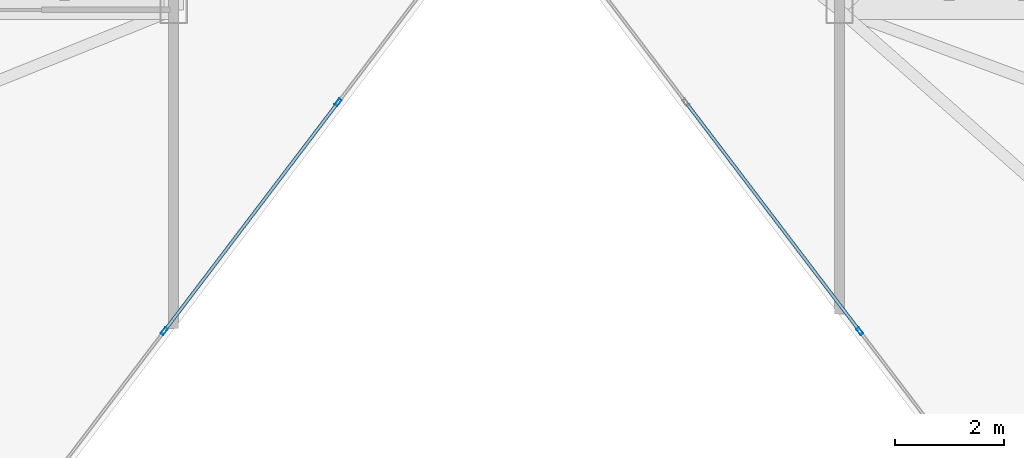
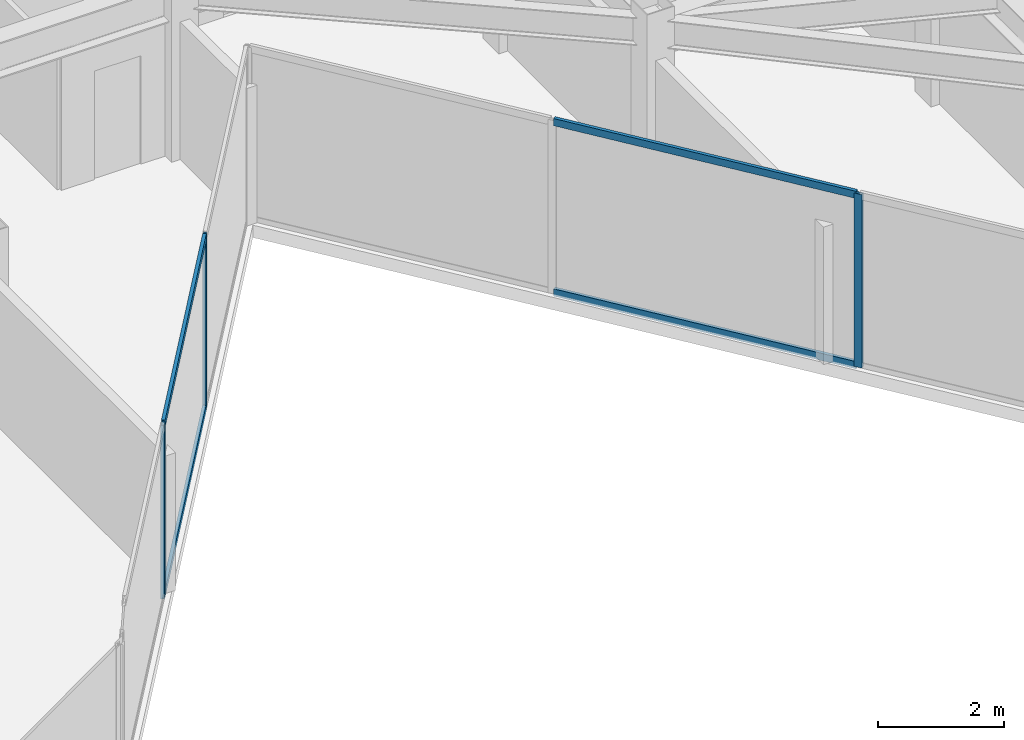
# One storey, part 7 of 20: 7 members, 2 elements without a shape of their own.
"""IFC4 building model written with IfcOpenShell, lengths in metres."""

from ifc_helpers import new_model, si_unit, direction, frame, origin, origin_2d, place, context, subcontext, project, spatial, hollow_rectangle, extrude, material, layer, layer_set, material_profile, profile_set, type_object, element, aggregate, save


model = new_model("IFC4")

# Units and contexts
model_context = context("Model", 3, precision=1e-05, world=origin(), true_north=direction((0.0, 1.0)))
body_context = subcontext(model_context, "Body", "Model", "MODEL_VIEW")
ifc_project = project(units=[si_unit("LENGTHUNIT", "METRE"), si_unit("AREAUNIT", "SQUARE_METRE"), si_unit("VOLUMEUNIT", "CUBIC_METRE"), si_unit("PLANEANGLEUNIT", "RADIAN"), si_unit("MASSUNIT", "GRAM", prefix="KILO")], contexts=[model_context])

# Site, building, storey
site_placement = place(None, origin())
site = spatial("IfcSite", under=ifc_project, at=site_placement, CompositionType="ELEMENT")
building_placement = place(site_placement, origin())
building = spatial("IfcBuilding", under=site, at=building_placement, Name="Kravanh Interchange Tower", CompositionType="ELEMENT")
storey_placement = place(building_placement, frame((0.0, 0.0, 234.60009765625)))
storey = spatial("IfcBuildingStorey", under=building, at=storey_placement, Name="L56", CompositionType="ELEMENT", Elevation=234.60009765625)

# Curtain wall, member
ifc_material_1 = material(Name="Anodised Bronze Aluminium", Category="aluminium")
ifc_layer = layer(ifc_material_1, 0.179931640625)
ifc_layer_set = layer_set([ifc_layer], Name="Unitised Curtain Wall System CW-HTL Luxury Hotel")
curtain_wall_type = type_object("IfcCurtainWallType", Name="Unitised Curtain Wall System CW-HTL Luxury Hotel", PredefinedType="NOTDEFINED", material=ifc_layer_set)
curtain_wall_1_placement = place(storey_placement, origin())
curtain_wall_1 = element("IfcCurtainWall", 1, at=curtain_wall_1_placement, inside=storey, type_object=curtain_wall_type, Name="L56 Unitised Curtain Wall CW-L56-04", PredefinedType="NOTDEFINED")
ifc_material_2 = material(Name="Anodised Bronze Aluminium", Category="aluminium")
ifc_material_profile_1 = material_profile(ifc_material_2, hollow_rectangle(XDim=0.06005859375, YDim=0.139892578125, WallThickness=0.00390625, at=origin_2d()), Name="ALU60X140X4")
ifc_profile_set_1 = profile_set([ifc_material_profile_1], Name="Anodised Bronze Aluminium")
member_type_1 = type_object("IfcMemberType", Name="Curtain Wall Mullion ALU60X140X4 Bronze", PredefinedType="MULLION", material=ifc_profile_set_1)
member_1_placement = place(storey_placement, frame((51.173095703125, 20.912841796875, 0.0), z_axis=(0.0, 0.0, 1.0), x_axis=(-0.79616243806, -0.605082946564, 0.0)))
member_1 = element("IfcMember", 2, at=member_1_placement, type_object=member_type_1, Name="CW-HTL mullion 2", PredefinedType="MULLION", context=body_context, shape_type="SweptSolid", body=[
    extrude(hollow_rectangle(XDim=0.06005859375, YDim=0.139892578125, WallThickness=0.00390625, at=origin_2d()), origin(), (0.0, 0.0, 1.0), 3.35986328125),
])

# Curtain wall, members
curtain_wall_2_placement = place(storey_placement, origin())
curtain_wall_2 = element("IfcCurtainWall", 3, at=curtain_wall_2_placement, inside=storey, type_object=curtain_wall_type, Name="L56 Unitised Curtain Wall CW-L56-05", PredefinedType="NOTDEFINED")
member_2_placement = place(storey_placement, frame((41.613525390625, 25.10546875, 0.0), z_axis=(0.0, 0.0, 1.0), x_axis=(0.79616243806, -0.605082946564, 0.0)))
member_2 = element("IfcMember", 4, at=member_2_placement, type_object=member_type_1, Name="CW-HTL mullion 2", PredefinedType="MULLION", context=body_context, shape_type="SweptSolid", body=[
    extrude(hollow_rectangle(XDim=0.06005859375, YDim=0.139892578125, WallThickness=0.00390625, at=origin_2d()), origin(), (0.0, 0.0, 1.0), 3.35986328125),
])
member_3_placement = place(storey_placement, frame((38.427001953125, 20.912841796875, 0.0), z_axis=(0.0, 0.0, 1.0), x_axis=(0.79616243806, -0.605082946564, 0.0)))
member_3 = element("IfcMember", 5, at=member_3_placement, type_object=member_type_1, Name="CW-HTL mullion 3", PredefinedType="MULLION", context=body_context, shape_type="SweptSolid", body=[
    extrude(hollow_rectangle(XDim=0.06005859375, YDim=0.139892578125, WallThickness=0.00390625, at=origin_2d()), origin(), (0.0, 0.0, 1.0), 3.35986328125),
])

# Member
ifc_material_3 = material(Name="Anodised Bronze Aluminium", Category="aluminium")
ifc_material_profile_2 = material_profile(ifc_material_3, hollow_rectangle(XDim=0.06005859375, YDim=0.139892578125, WallThickness=0.00390625, at=origin_2d()), Name="ALU60X140X4")
ifc_profile_set_2 = profile_set([ifc_material_profile_2], Name="Anodised Bronze Aluminium")
member_type_2 = type_object("IfcMemberType", Name="Curtain Wall Transom ALU60X140X4 Bronze", PredefinedType="USERDEFINED", material=ifc_profile_set_2)
member_4_placement = place(storey_placement, frame((51.15478515625, 20.936767578125, 0.02978515625), z_axis=(-0.60509753596, 0.796151349918, 0.0), x_axis=(-0.796151349918, -0.60509753596, 0.0)))
member_4 = element("IfcMember", 6, at=member_4_placement, type_object=member_type_2, Name="CW-HTL transom 2.1", ObjectType="TRANSOM", PredefinedType="USERDEFINED", context=body_context, shape_type="SweptSolid", body=[
    extrude(hollow_rectangle(XDim=0.06005859375, YDim=0.139892578125, WallThickness=0.00390625, at=origin_2d()), origin(), (0.0, 0.0, 1.0), 5.2060546875),
])

member_5_placement = place(storey_placement, frame((51.15478515625, 20.936767578125, 3.329833984375), z_axis=(-0.60509753596, 0.796151349918, 0.0), x_axis=(-0.796151349918, -0.60509753596, 0.0)))
member_5 = element("IfcMember", 7, at=member_5_placement, type_object=member_type_2, Name="CW-HTL transom 2.2", ObjectType="TRANSOM", PredefinedType="USERDEFINED", context=body_context, shape_type="SweptSolid", body=[
    extrude(hollow_rectangle(XDim=0.06005859375, YDim=0.139892578125, WallThickness=0.00390625, at=origin_2d()), origin(), (0.0, 0.0, 1.0), 5.2060546875),
])

aggregate(curtain_wall_1, [member_1, member_4, member_5])

member_6_placement = place(storey_placement, frame((41.595458984375, 25.08154296875, 0.02978515625), z_axis=(-0.605127259975, -0.79612875795, 0.0), x_axis=(0.79612875795, -0.605127259975, 0.0)))
member_6 = element("IfcMember", 8, at=member_6_placement, type_object=member_type_2, Name="CW-HTL transom 2.1", ObjectType="TRANSOM", PredefinedType="USERDEFINED", context=body_context, shape_type="SweptSolid", body=[
    extrude(hollow_rectangle(XDim=0.06005859375, YDim=0.139892578125, WallThickness=0.00390625, at=origin_2d()), origin(), (0.0, 0.0, 1.0), 5.2060546875),
])

member_7_placement = place(storey_placement, frame((41.595458984375, 25.08154296875, 3.329833984375), z_axis=(-0.605127259975, -0.79612875795, 0.0), x_axis=(0.79612875795, -0.605127259975, 0.0)))
member_7 = element("IfcMember", 9, at=member_7_placement, type_object=member_type_2, Name="CW-HTL transom 2.2", ObjectType="TRANSOM", PredefinedType="USERDEFINED", context=body_context, shape_type="SweptSolid", body=[
    extrude(hollow_rectangle(XDim=0.06005859375, YDim=0.139892578125, WallThickness=0.00390625, at=origin_2d()), origin(), (0.0, 0.0, 1.0), 5.2060546875),
])

aggregate(curtain_wall_2, [member_2, member_3, member_6, member_7])

save(model, "model.ifc")
